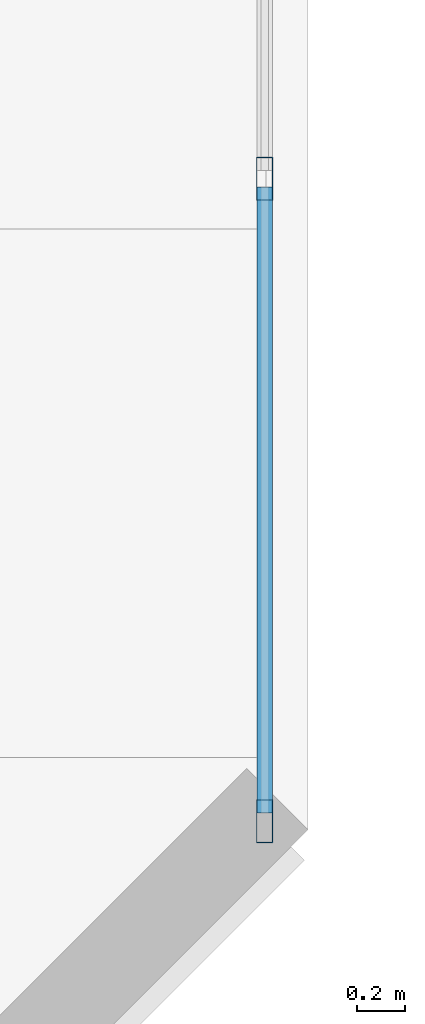
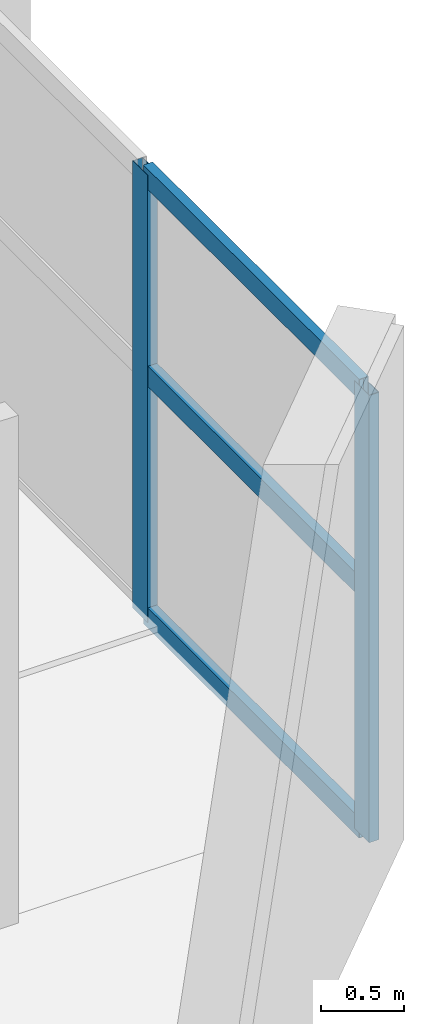
# One storey, part 2 of 13: 5 members, 1 element without a shape of its own.
"""IFC4 building model written with IfcOpenShell, lengths in metres."""

from ifc_helpers import new_model, si_unit, direction, frame, origin, origin_2d, place, context, subcontext, project, spatial, hollow_rectangle, extrude, material, layer, layer_set, material_profile, profile_set, type_object, element, aggregate, save


model = new_model("IFC4")

# Units and contexts
model_context = context("Model", 3, precision=1e-05, world=origin(), true_north=direction((0.0, 1.0)))
body_context = subcontext(model_context, "Body", "Model", "MODEL_VIEW")
ifc_project = project(units=[si_unit("LENGTHUNIT", "METRE"), si_unit("AREAUNIT", "SQUARE_METRE"), si_unit("VOLUMEUNIT", "CUBIC_METRE"), si_unit("PLANEANGLEUNIT", "RADIAN"), si_unit("MASSUNIT", "GRAM", prefix="KILO")], contexts=[model_context])

# Site, building, storey
site_placement = place(None, origin())
site = spatial("IfcSite", under=ifc_project, at=site_placement, CompositionType="ELEMENT")
building_placement = place(site_placement, origin())
building = spatial("IfcBuilding", under=site, at=building_placement, Name="Qianrong Seaharbour Tower", CompositionType="ELEMENT")
storey_placement = place(building_placement, frame((0.0, 0.0, 299.199951171875)))
storey = spatial("IfcBuildingStorey", under=building, at=storey_placement, Name="L72", CompositionType="ELEMENT", Elevation=299.199951171875)

# Curtain wall, members
ifc_material_1 = material(Name="Anodised aluminium 6063-T6 and laminated low-e glass", Category="aluminium")
ifc_layer = layer(ifc_material_1, 0.195068359375)
ifc_layer_set = layer_set([ifc_layer], Name="Anodised aluminium 6063-T6 and laminated low-e glass")
curtain_wall_type = type_object("IfcCurtainWallType", Name="CW-SYS-3", PredefinedType="NOTDEFINED", material=ifc_layer_set)
curtain_wall_placement = place(storey_placement, origin())
curtain_wall = element("IfcCurtainWall", 1, at=curtain_wall_placement, inside=storey, type_object=curtain_wall_type, Name="L72 Sky-Garden Wintergarden Curtain Wall EAST_WING", PredefinedType="NOTDEFINED")
ifc_material_2 = material(Name="Extruded aluminium 6063-T6", Category="aluminium")
ifc_material_profile_1 = material_profile(ifc_material_2, hollow_rectangle(XDim=0.070068359375, YDim=0.179931640625, WallThickness=0.00390625, at=origin_2d()), Name="ALU-MUL-180x70x4")
ifc_profile_set_1 = profile_set([ifc_material_profile_1], Name="Extruded aluminium 6063-T6")
member_type_1 = type_object("IfcMemberType", Name="CW-MUL-180", PredefinedType="MULLION", material=ifc_profile_set_1)
member_1_placement = place(storey_placement, frame((63.820068359375, 25.2099609375, 0.0), z_axis=(0.0, 0.0, 1.0), x_axis=(1.0, 0.0, 0.0)))
member_1 = element("IfcMember", 2, at=member_1_placement, type_object=member_type_1, Name="CW-3 mullion 5", PredefinedType="MULLION", context=body_context, shape_type="SweptSolid", body=[
    extrude(hollow_rectangle(XDim=0.070068359375, YDim=0.179931640625, WallThickness=0.00390625, at=origin_2d()), origin(), (0.0, 0.0, 1.0), 3.295166015625),
])
member_2_placement = place(storey_placement, frame((63.820068359375, 22.534912109375, 0.0), z_axis=(0.0, 0.0, 1.0), x_axis=(1.0, 0.0, 0.0)))
member_2 = element("IfcMember", 3, at=member_2_placement, type_object=member_type_1, Name="CW-3 mullion 6", PredefinedType="MULLION", context=body_context, shape_type="SweptSolid", body=[
    extrude(hollow_rectangle(XDim=0.070068359375, YDim=0.179931640625, WallThickness=0.00390625, at=origin_2d()), origin(), (0.0, 0.0, 1.0), 3.295166015625),
])
ifc_material_profile_2 = material_profile(ifc_material_2, hollow_rectangle(XDim=0.06494140625, YDim=0.14990234375, WallThickness=0.00390625, at=origin_2d()), Name="ALU-TRN-150x65x4")
ifc_profile_set_2 = profile_set([ifc_material_profile_2], Name="Extruded aluminium 6063-T6")
member_type_2 = type_object("IfcMemberType", Name="CW-TRN-150", PredefinedType="USERDEFINED", material=ifc_profile_set_2)
member_3_placement = place(storey_placement, frame((63.820068359375, 25.175048828125, 0.032470703125), z_axis=(0.0, -1.0, 0.0), x_axis=(1.0, 0.0, 0.0)))
member_3 = element("IfcMember", 4, at=member_3_placement, type_object=member_type_2, Name="CW-3 transom 5.1", ObjectType="TRANSOM", PredefinedType="USERDEFINED", context=body_context, shape_type="SweptSolid", body=[
    extrude(hollow_rectangle(XDim=0.06494140625, YDim=0.14990234375, WallThickness=0.00390625, at=origin_2d()), origin(), (0.0, 0.0, 1.0), 2.60498046875),
])
member_4_placement = place(storey_placement, frame((63.820068359375, 25.175048828125, 1.812255859375), z_axis=(0.0, -1.0, 0.0), x_axis=(1.0, 0.0, 0.0)))
member_4 = element("IfcMember", 5, at=member_4_placement, type_object=member_type_2, Name="CW-3 transom 5.2", ObjectType="TRANSOM", PredefinedType="USERDEFINED", context=body_context, shape_type="SweptSolid", body=[
    extrude(hollow_rectangle(XDim=0.06494140625, YDim=0.14990234375, WallThickness=0.00390625, at=origin_2d()), origin(), (0.0, 0.0, 1.0), 2.60498046875),
])
member_5_placement = place(storey_placement, frame((63.820068359375, 25.175048828125, 3.262451171875), z_axis=(0.0, -1.0, 0.0), x_axis=(1.0, 0.0, 0.0)))
member_5 = element("IfcMember", 6, at=member_5_placement, type_object=member_type_2, Name="CW-3 transom 5.3", ObjectType="TRANSOM", PredefinedType="USERDEFINED", context=body_context, shape_type="SweptSolid", body=[
    extrude(hollow_rectangle(XDim=0.06494140625, YDim=0.14990234375, WallThickness=0.00390625, at=origin_2d()), origin(), (0.0, 0.0, 1.0), 2.60498046875),
])
aggregate(curtain_wall, [member_1, member_2, member_3, member_4, member_5])

save(model, "model.ifc")
